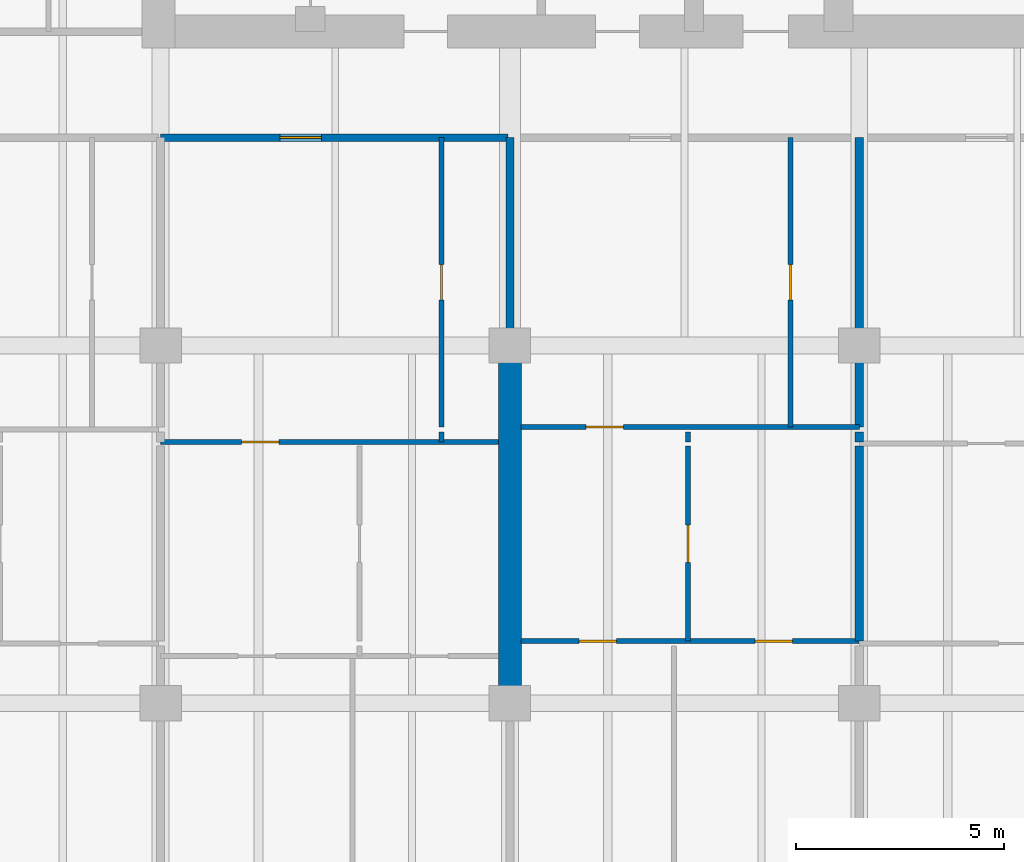
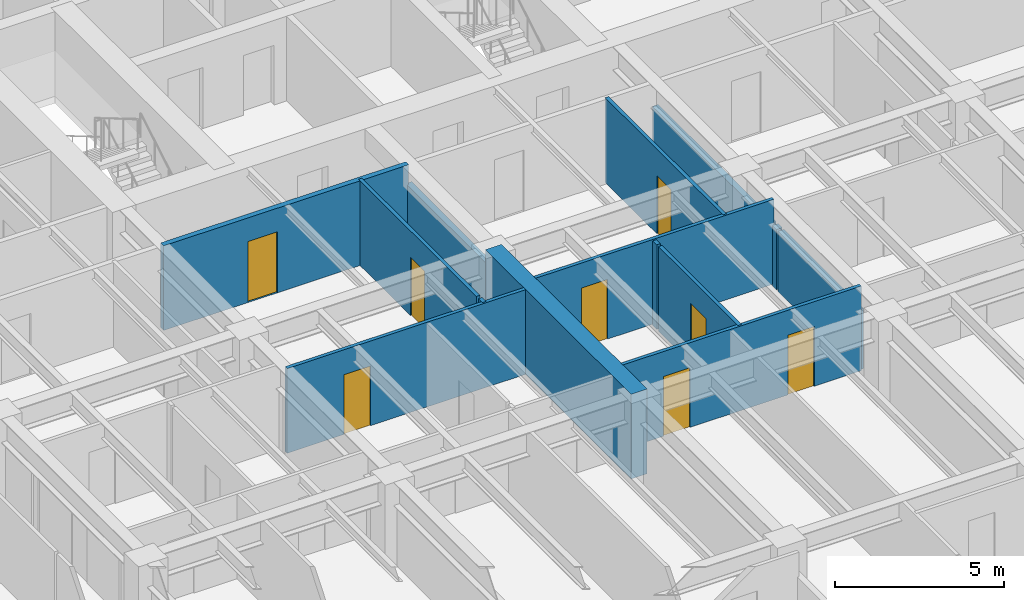
# One storey, part 7 of 17: 14 walls, 8 doors, 8 openings.
"""IFC4 building model written with IfcOpenShell, lengths in metres."""

from ifc_helpers import new_model, si_unit, direction, frame, frame_2d, origin, place, context, subcontext, project, spatial, rectangle, extrude, material, layer, layer_set, type_object, element, fill, save


model = new_model("IFC4")

# Units and contexts
model_context = context("Model", 3, precision=1e-05, world=origin(), true_north=direction((0.0, 1.0)))
body_context = subcontext(model_context, "Body", "Model", "MODEL_VIEW")
ifc_project = project(units=[si_unit("LENGTHUNIT", "METRE"), si_unit("AREAUNIT", "SQUARE_METRE"), si_unit("VOLUMEUNIT", "CUBIC_METRE"), si_unit("PLANEANGLEUNIT", "RADIAN"), si_unit("MASSUNIT", "GRAM", prefix="KILO")], contexts=[model_context])

# Site, building, storey
site_placement = place(None, origin())
site = spatial("IfcSite", under=ifc_project, at=site_placement, CompositionType="ELEMENT")
building_placement = place(site_placement, origin())
building = spatial("IfcBuilding", under=site, at=building_placement, Name="Caelmar Bay Residences", CompositionType="ELEMENT")
storey_placement = place(building_placement, frame((0.0, 0.0, 84.60009765625)))
storey = spatial("IfcBuildingStorey", under=building, at=storey_placement, Name="L22", CompositionType="ELEMENT", Elevation=84.60009765625)

# Wall
ifc_material_1 = material(Name="Concrete f'c 70 MPa (10,000 psi)", Category="concrete")
ifc_layer_1 = layer(ifc_material_1, 0.550048828125)
ifc_layer_set_1 = layer_set([ifc_layer_1], Name="Concrete f'c 70 MPa (10,000 psi)")
wall_type_1 = type_object("IfcWallType", Name="SW-XSLB-550", PredefinedType="SHEAR", material=ifc_layer_set_1)
wall_1_placement = place(storey_placement, frame((26.699951171875, 20.800048828125, 0.0), z_axis=(0.0, 0.0, 1.0), x_axis=(0.0, 1.0, 0.0)))
element("IfcWall", 1, at=wall_1_placement, inside=storey, type_object=wall_type_1, Name="L22 Transverse Cross-Slab Shear Wall W5", PredefinedType="SHEAR", context=body_context, shape_type="SweptSolid", body=[
    extrude(rectangle(XDim=8.599853515625, YDim=0.550048828125, at=frame_2d((4.2998046875, 0.0))), origin(), (0.0, 0.0, 1.0), 3.0498046875),
])

# Wall, opening, door
ifc_material_2 = material(Name="Double-stud acoustic fire-rated gypsum partition 180 mm")
ifc_layer_2 = layer(ifc_material_2, 0.179931640625)
ifc_layer_set_2 = layer_set([ifc_layer_2], Name="Double-stud acoustic fire-rated gypsum partition 180 mm")
wall_type_2 = type_object("IfcWallType", Name="W-COR-200", PredefinedType="PARTITIONING", material=ifc_layer_set_2)
wall_2_placement = place(storey_placement, frame((18.300048828125, 34.39990234375, 0.0), z_axis=(0.0, 0.0, 1.0), x_axis=(1.0, 0.0, 0.0)))
wall_2 = element("IfcWall", 2, at=wall_2_placement, inside=storey, type_object=wall_type_2, Name="L22 Partition Wall H131", PredefinedType="PARTITIONING", context=body_context, shape_type="SweptSolid", body=[
    extrude(rectangle(XDim=8.349853515625, YDim=0.179931640625, at=frame_2d((4.1748046875, 0.0))), origin(), (0.0, 0.0, 1.0), 3.0498046875),
])
opening_1_placement = place(wall_2_placement, frame((2.875, 0.0, 0.0)))
opening_1 = element("IfcOpeningElement", 3, at=opening_1_placement, cuts=wall_2, Name="Opening D-L22-131", PredefinedType="OPENING", context=body_context, shape_type="SweptSolid", body=[
    extrude(rectangle(XDim=1.0, YDim=2.199951171875, at=frame_2d((0.5, 1.10009765625))), frame((0.0, 0.099853515625, 0.0), z_axis=(0.0, -1.0, 0.0), x_axis=(1.0, 0.0, 0.0)), (0.0, 0.0, 1.0), 0.199951171875),
])
ifc_material_3 = material(Name="Fire-rated steel and walnut architectural door assembly", Category="steel")
ifc_layer_3 = layer(ifc_material_3, 0.050048828125)
ifc_layer_set_3 = layer_set([ifc_layer_3], Name="Fire-rated steel and walnut architectural door assembly")
door_type_1 = type_object("IfcDoorType", Name="D-UNIT-1000", OperationType="NOTDEFINED", PredefinedType="DOOR", material=ifc_layer_set_3)
door_1_placement = place(opening_1_placement, origin())
door_1 = element("IfcDoor", 4, at=door_1_placement, inside=storey, type_object=door_type_1, Name="L22 Residence 02 Apartment Hall Door", OperationType="SINGLE_SWING_RIGHT", OverallHeight=2.199951171875, OverallWidth=1.0, PredefinedType="DOOR", context=body_context, shape_type="SweptSolid", body=[
    extrude(rectangle(XDim=1.0, YDim=2.199951171875, at=frame_2d((0.5, 1.10009765625))), frame((0.0, 0.02490234375, 0.0), z_axis=(0.0, -1.0, 0.0), x_axis=(1.0, 0.0, 0.0)), (0.0, 0.0, 1.0), 0.050048828125),
])
fill(opening_1, door_1)

# Wall
ifc_material_4 = material(Name="Acoustic metal-stud gypsum partition 120 mm")
ifc_layer_4 = layer(ifc_material_4, 0.1201171875)
ifc_layer_set_4 = layer_set([ifc_layer_4], Name="Acoustic metal-stud gypsum partition 120 mm")
wall_type_3 = type_object("IfcWallType", Name="W-PRT-120", PredefinedType="PARTITIONING", material=ifc_layer_set_4)
wall_3_placement = place(storey_placement, frame((25.050048828125, 27.080078125, 0.0), z_axis=(0.0, 0.0, 1.0), x_axis=(0.0, 1.0, 0.0)))
element("IfcWall", 5, at=wall_3_placement, inside=storey, type_object=wall_type_3, Name="L22 Partition Wall V030", PredefinedType="PARTITIONING", context=body_context, shape_type="SweptSolid", body=[
    extrude(rectangle(XDim=0.239990234375, YDim=0.1201171875, at=frame_2d((0.1201171875, 0.0))), origin(), (0.0, 0.0, 1.0), 3.0498046875),
])

# Wall, opening, door
wall_4_placement = place(storey_placement, frame((25.050048828125, 27.43994140625, 0.0), z_axis=(0.0, 0.0, 1.0), x_axis=(0.0, 1.0, 0.0)))
wall_4 = element("IfcWall", 6, at=wall_4_placement, inside=storey, type_object=wall_type_3, Name="L22 Partition Wall V031", PredefinedType="PARTITIONING", context=body_context, shape_type="SweptSolid", body=[
    extrude(rectangle(XDim=6.9599609375, YDim=0.1201171875, at=frame_2d((3.47998046875, 0.0))), origin(), (0.0, 0.0, 1.0), 3.0498046875),
])
opening_2_placement = place(wall_4_placement, frame((3.054931640625, 0.0, 0.0)))
opening_2 = element("IfcOpeningElement", 7, at=opening_2_placement, cuts=wall_4, Name="Opening D-L22-132", PredefinedType="OPENING", context=body_context, shape_type="SweptSolid", body=[
    extrude(rectangle(XDim=0.85009765625, YDim=2.10009765625, at=frame_2d((0.425048828125, 1.050048828125))), frame((0.0, 0.070068359375, 0.0), z_axis=(0.0, -1.0, 0.0), x_axis=(1.0, 0.0, 0.0)), (0.0, 0.0, 1.0), 0.14013671875),
])
ifc_material_5 = material(Name="Solid walnut timber interior door leaf and frame", Category="wood")
ifc_layer_5 = layer(ifc_material_5, 0.050048828125)
ifc_layer_set_5 = layer_set([ifc_layer_5], Name="Solid walnut timber interior door leaf and frame")
door_type_2 = type_object("IfcDoorType", Name="D-BATH-850", OperationType="NOTDEFINED", PredefinedType="DOOR", material=ifc_layer_set_5)
door_2_placement = place(opening_2_placement, origin())
door_2 = element("IfcDoor", 8, at=door_2_placement, inside=storey, type_object=door_type_2, Name="L22 Residence 02 Bathroom Door", OperationType="SINGLE_SWING_LEFT", OverallHeight=2.10009765625, OverallWidth=0.85009765625, PredefinedType="DOOR", context=body_context, shape_type="SweptSolid", body=[
    extrude(rectangle(XDim=0.85009765625, YDim=2.10009765625, at=frame_2d((0.425048828125, 1.050048828125))), frame((0.0, 0.02490234375, 0.0), z_axis=(0.0, -1.0, 0.0), x_axis=(1.0, 0.0, 0.0)), (0.0, 0.0, 1.0), 0.050048828125),
])
fill(opening_2, door_2)

wall_5_placement = place(storey_placement, frame((30.986083984375, 22.2900390625, 0.0), z_axis=(0.0, 0.0, 1.0), x_axis=(0.0, 1.0, 0.0)))
wall_5 = element("IfcWall", 9, at=wall_5_placement, inside=storey, type_object=wall_type_3, Name="L22 Partition Wall V041", PredefinedType="PARTITIONING", context=body_context, shape_type="SweptSolid", body=[
    extrude(rectangle(XDim=4.68994140625, YDim=0.1201171875, at=frame_2d((2.344970703125, 0.0))), origin(), (0.0, 0.0, 1.0), 3.0498046875),
])
opening_3_placement = place(wall_5_placement, frame((1.89501953125, 0.0, 0.0)))
opening_3 = element("IfcOpeningElement", 10, at=opening_3_placement, cuts=wall_5, Name="Opening D-L22-141", PredefinedType="OPENING", context=body_context, shape_type="SweptSolid", body=[
    extrude(rectangle(XDim=0.89990234375, YDim=2.14990234375, at=frame_2d((0.449951171875, 1.074951171875))), frame((0.0, 0.070068359375, 0.0), z_axis=(0.0, -1.0, 0.0), x_axis=(1.0, 0.0, 0.0)), (0.0, 0.0, 1.0), 0.14013671875),
])
ifc_layer_6 = layer(ifc_material_5, 0.050048828125)
ifc_layer_set_6 = layer_set([ifc_layer_6], Name="Solid walnut timber interior door leaf and frame")
door_type_3 = type_object("IfcDoorType", Name="D-ROOM-900", OperationType="NOTDEFINED", PredefinedType="DOOR", material=ifc_layer_set_6)
door_3_placement = place(opening_3_placement, origin())
door_3 = element("IfcDoor", 11, at=door_3_placement, inside=storey, type_object=door_type_3, Name="L22 Residence 03 Study Door", OperationType="SINGLE_SWING_RIGHT", OverallHeight=2.14990234375, OverallWidth=0.89990234375, PredefinedType="DOOR", context=body_context, shape_type="SweptSolid", body=[
    extrude(rectangle(XDim=0.89990234375, YDim=2.14990234375, at=frame_2d((0.449951171875, 1.074951171875))), frame((0.0, 0.02490234375, 0.0), z_axis=(0.0, -1.0, 0.0), x_axis=(1.0, 0.0, 0.0)), (0.0, 0.0, 1.0), 0.050048828125),
])
fill(opening_3, door_3)

# Wall
wall_6_placement = place(storey_placement, frame((30.986083984375, 27.080078125, 0.0), z_axis=(0.0, 0.0, 1.0), x_axis=(0.0, 1.0, 0.0)))
element("IfcWall", 12, at=wall_6_placement, inside=storey, type_object=wall_type_3, Name="L22 Partition Wall V042", PredefinedType="PARTITIONING", context=body_context, shape_type="SweptSolid", body=[
    extrude(rectangle(XDim=0.239990234375, YDim=0.1201171875, at=frame_2d((0.1201171875, 0.0))), origin(), (0.0, 0.0, 1.0), 3.0498046875),
])

# Wall, opening, door
wall_7_placement = place(storey_placement, frame((33.449951171875, 27.43994140625, 0.0), z_axis=(0.0, 0.0, 1.0), x_axis=(0.0, 1.0, 0.0)))
wall_7 = element("IfcWall", 13, at=wall_7_placement, inside=storey, type_object=wall_type_3, Name="L22 Partition Wall V044", PredefinedType="PARTITIONING", context=body_context, shape_type="SweptSolid", body=[
    extrude(rectangle(XDim=6.9599609375, YDim=0.1201171875, at=frame_2d((3.47998046875, 0.0))), origin(), (0.0, 0.0, 1.0), 3.0498046875),
])
opening_4_placement = place(wall_7_placement, frame((3.054931640625, 0.0, 0.0)))
opening_4 = element("IfcOpeningElement", 14, at=opening_4_placement, cuts=wall_7, Name="Opening D-L22-139", PredefinedType="OPENING", context=body_context, shape_type="SweptSolid", body=[
    extrude(rectangle(XDim=0.85009765625, YDim=2.10009765625, at=frame_2d((0.425048828125, 1.050048828125))), frame((0.0, 0.070068359375, 0.0), z_axis=(0.0, -1.0, 0.0), x_axis=(1.0, 0.0, 0.0)), (0.0, 0.0, 1.0), 0.14013671875),
])
door_4_placement = place(opening_4_placement, origin())
door_4 = element("IfcDoor", 15, at=door_4_placement, inside=storey, type_object=door_type_2, Name="L22 Residence 03 Bathroom Door", OperationType="SINGLE_SWING_RIGHT", OverallHeight=2.10009765625, OverallWidth=0.85009765625, PredefinedType="DOOR", context=body_context, shape_type="SweptSolid", body=[
    extrude(rectangle(XDim=0.85009765625, YDim=2.10009765625, at=frame_2d((0.425048828125, 1.050048828125))), frame((0.0, 0.02490234375, 0.0), z_axis=(0.0, -1.0, 0.0), x_axis=(1.0, 0.0, 0.0)), (0.0, 0.0, 1.0), 0.050048828125),
])
fill(opening_4, door_4)

# Wall, openings, doors
wall_8_placement = place(storey_placement, frame((26.969970703125, 22.2900390625, 0.0), z_axis=(0.0, 0.0, 1.0), x_axis=(1.0, 0.0, 0.0)))
wall_8 = element("IfcWall", 16, at=wall_8_placement, inside=storey, type_object=wall_type_3, Name="L22 Partition Wall H119", PredefinedType="PARTITIONING", context=body_context, shape_type="SweptSolid", body=[
    extrude(rectangle(XDim=8.125, YDim=0.1201171875, at=frame_2d((4.0625, 0.0))), origin(), (0.0, 0.0, 1.0), 3.0498046875),
])
opening_5_placement = place(wall_8_placement, frame((1.388916015625, 0.0, 0.0)))
opening_5 = element("IfcOpeningElement", 17, at=opening_5_placement, cuts=wall_8, Name="Opening D-L22-142", PredefinedType="OPENING", context=body_context, shape_type="SweptSolid", body=[
    extrude(rectangle(XDim=0.89990234375, YDim=2.14990234375, at=frame_2d((0.449951171875, 1.074951171875))), frame((0.0, 0.070068359375, 0.0), z_axis=(0.0, -1.0, 0.0), x_axis=(1.0, 0.0, 0.0)), (0.0, 0.0, 1.0), 0.14013671875),
])
opening_6_placement = place(wall_8_placement, frame((5.62060546875, 0.0, 0.0)))
opening_6 = element("IfcOpeningElement", 18, at=opening_6_placement, cuts=wall_8, Name="Opening D-L22-143", PredefinedType="OPENING", context=body_context, shape_type="SweptSolid", body=[
    extrude(rectangle(XDim=0.89990234375, YDim=2.14990234375, at=frame_2d((0.449951171875, 1.074951171875))), frame((0.0, 0.070068359375, 0.0), z_axis=(0.0, -1.0, 0.0), x_axis=(1.0, 0.0, 0.0)), (0.0, 0.0, 1.0), 0.14013671875),
])
door_5_placement = place(opening_5_placement, origin())
door_5 = element("IfcDoor", 19, at=door_5_placement, inside=storey, type_object=door_type_3, Name="L22 Residence 03 Living Room Door", OperationType="SINGLE_SWING_LEFT", OverallHeight=2.14990234375, OverallWidth=0.89990234375, PredefinedType="DOOR", context=body_context, shape_type="SweptSolid", body=[
    extrude(rectangle(XDim=0.89990234375, YDim=2.14990234375, at=frame_2d((0.449951171875, 1.074951171875))), frame((0.0, 0.02490234375, 0.0), z_axis=(0.0, -1.0, 0.0), x_axis=(1.0, 0.0, 0.0)), (0.0, 0.0, 1.0), 0.050048828125),
])
fill(opening_5, door_5)
door_6_placement = place(opening_6_placement, origin())
door_6 = element("IfcDoor", 20, at=door_6_placement, inside=storey, type_object=door_type_3, Name="L22 Residence 03 Penthouse Sitting Room Door", OperationType="SINGLE_SWING_RIGHT", OverallHeight=2.14990234375, OverallWidth=0.89990234375, PredefinedType="DOOR", context=body_context, shape_type="SweptSolid", body=[
    extrude(rectangle(XDim=0.89990234375, YDim=2.14990234375, at=frame_2d((0.449951171875, 1.074951171875))), frame((0.0, 0.02490234375, 0.0), z_axis=(0.0, -1.0, 0.0), x_axis=(1.0, 0.0, 0.0)), (0.0, 0.0, 1.0), 0.050048828125),
])
fill(opening_6, door_6)

# Wall, opening, door
wall_9_placement = place(storey_placement, frame((18.300048828125, 27.080078125, 0.0), z_axis=(0.0, 0.0, 1.0), x_axis=(1.0, 0.0, 0.0)))
wall_9 = element("IfcWall", 21, at=wall_9_placement, inside=storey, type_object=wall_type_3, Name="L22 Partition Wall H124", PredefinedType="PARTITIONING", context=body_context, shape_type="SweptSolid", body=[
    extrude(rectangle(XDim=8.1298828125, YDim=0.1201171875, at=frame_2d((4.06494140625, 0.0))), origin(), (0.0, 0.0, 1.0), 3.0498046875),
])
opening_7_placement = place(wall_9_placement, frame((1.943115234375, 0.0, 0.0)))
opening_7 = element("IfcOpeningElement", 22, at=opening_7_placement, cuts=wall_9, Name="Opening D-L22-133", PredefinedType="OPENING", context=body_context, shape_type="SweptSolid", body=[
    extrude(rectangle(XDim=0.89990234375, YDim=2.14990234375, at=frame_2d((0.449951171875, 1.074951171875))), frame((0.0, 0.070068359375, 0.0), z_axis=(0.0, -1.0, 0.0), x_axis=(1.0, 0.0, 0.0)), (0.0, 0.0, 1.0), 0.14013671875),
])
door_7_placement = place(opening_7_placement, origin())
door_7 = element("IfcDoor", 23, at=door_7_placement, inside=storey, type_object=door_type_3, Name="L22 Residence 02 Kitchen Door", OperationType="SINGLE_SWING_RIGHT", OverallHeight=2.14990234375, OverallWidth=0.89990234375, PredefinedType="DOOR", context=body_context, shape_type="SweptSolid", body=[
    extrude(rectangle(XDim=0.89990234375, YDim=2.14990234375, at=frame_2d((0.449951171875, 1.074951171875))), frame((0.0, 0.02490234375, 0.0), z_axis=(0.0, -1.0, 0.0), x_axis=(1.0, 0.0, 0.0)), (0.0, 0.0, 1.0), 0.050048828125),
])
fill(opening_7, door_7)

wall_10_placement = place(storey_placement, frame((26.969970703125, 27.43994140625, 0.0), z_axis=(0.0, 0.0, 1.0), x_axis=(1.0, 0.0, 0.0)))
wall_10 = element("IfcWall", 24, at=wall_10_placement, inside=storey, type_object=wall_type_3, Name="L22 Partition Wall H128", PredefinedType="PARTITIONING", context=body_context, shape_type="SweptSolid", body=[
    extrude(rectangle(XDim=8.130126953125, YDim=0.1201171875, at=frame_2d((4.06494140625, 0.0))), origin(), (0.0, 0.0, 1.0), 3.0498046875),
])
opening_8_placement = place(wall_10_placement, frame((1.55810546875, 0.0, 0.0)))
opening_8 = element("IfcOpeningElement", 25, at=opening_8_placement, cuts=wall_10, Name="Opening D-L22-140", PredefinedType="OPENING", context=body_context, shape_type="SweptSolid", body=[
    extrude(rectangle(XDim=0.89990234375, YDim=2.14990234375, at=frame_2d((0.449951171875, 1.074951171875))), frame((0.0, 0.070068359375, 0.0), z_axis=(0.0, -1.0, 0.0), x_axis=(1.0, 0.0, 0.0)), (0.0, 0.0, 1.0), 0.14013671875),
])
door_8_placement = place(opening_8_placement, origin())
door_8 = element("IfcDoor", 26, at=door_8_placement, inside=storey, type_object=door_type_3, Name="L22 Residence 03 Kitchen Door", OperationType="SINGLE_SWING_LEFT", OverallHeight=2.14990234375, OverallWidth=0.89990234375, PredefinedType="DOOR", context=body_context, shape_type="SweptSolid", body=[
    extrude(rectangle(XDim=0.89990234375, YDim=2.14990234375, at=frame_2d((0.449951171875, 1.074951171875))), frame((0.0, 0.02490234375, 0.0), z_axis=(0.0, -1.0, 0.0), x_axis=(1.0, 0.0, 0.0)), (0.0, 0.0, 1.0), 0.050048828125),
])
fill(opening_8, door_8)

# Walls
ifc_material_6 = material(Name="Acoustic twin-stud fire-rated inter-tenancy partition 200 mm")
ifc_layer_7 = layer(ifc_material_6, 0.199951171875)
ifc_layer_set_7 = layer_set([ifc_layer_7], Name="Acoustic twin-stud fire-rated inter-tenancy partition 200 mm")
wall_type_4 = type_object("IfcWallType", Name="W-PTY-200", PredefinedType="PARTITIONING", material=ifc_layer_set_7)
wall_11_placement = place(storey_placement, frame((26.699951171875, 29.405029296875, 0.0), z_axis=(0.0, 0.0, 1.0), x_axis=(0.0, 1.0, 0.0)))
element("IfcWall", 27, at=wall_11_placement, inside=storey, type_object=wall_type_4, Name="L22 Partition Wall V036", PredefinedType="PARTITIONING", context=body_context, shape_type="SweptSolid", body=[
    extrude(rectangle(XDim=4.994873046875, YDim=0.199951171875, at=frame_2d((2.49755859375, 0.0))), origin(), (0.0, 0.0, 1.0), 2.3349609375),
])
wall_12_placement = place(storey_placement, frame((35.10009765625, 22.2900390625, 0.0), z_axis=(0.0, 0.0, 1.0), x_axis=(0.0, 1.0, 0.0)))
element("IfcWall", 28, at=wall_12_placement, inside=storey, type_object=wall_type_4, Name="L22 Partition Wall V047", PredefinedType="PARTITIONING", context=body_context, shape_type="SweptSolid", body=[
    extrude(rectangle(XDim=4.68994140625, YDim=0.199951171875, at=frame_2d((2.344970703125, 0.0))), origin(), (0.0, 0.0, 1.0), 2.173828125),
])
wall_13_placement = place(storey_placement, frame((35.10009765625, 27.080078125, 0.0), z_axis=(0.0, 0.0, 1.0), x_axis=(0.0, 1.0, 0.0)))
element("IfcWall", 29, at=wall_13_placement, inside=storey, type_object=wall_type_4, Name="L22 Partition Wall V048", PredefinedType="PARTITIONING", context=body_context, shape_type="SweptSolid", body=[
    extrude(rectangle(XDim=0.239990234375, YDim=0.199951171875, at=frame_2d((0.1201171875, 0.0))), origin(), (0.0, 0.0, 1.0), 2.173828125),
])
wall_14_placement = place(storey_placement, frame((35.10009765625, 27.43994140625, 0.0), z_axis=(0.0, 0.0, 1.0), x_axis=(0.0, 1.0, 0.0)))
element("IfcWall", 30, at=wall_14_placement, inside=storey, type_object=wall_type_4, Name="L22 Partition Wall V049", PredefinedType="PARTITIONING", context=body_context, shape_type="SweptSolid", body=[
    extrude(rectangle(XDim=6.9599609375, YDim=0.199951171875, at=frame_2d((3.47998046875, 0.0))), origin(), (0.0, 0.0, 1.0), 2.173828125),
])

save(model, "model.ifc")
